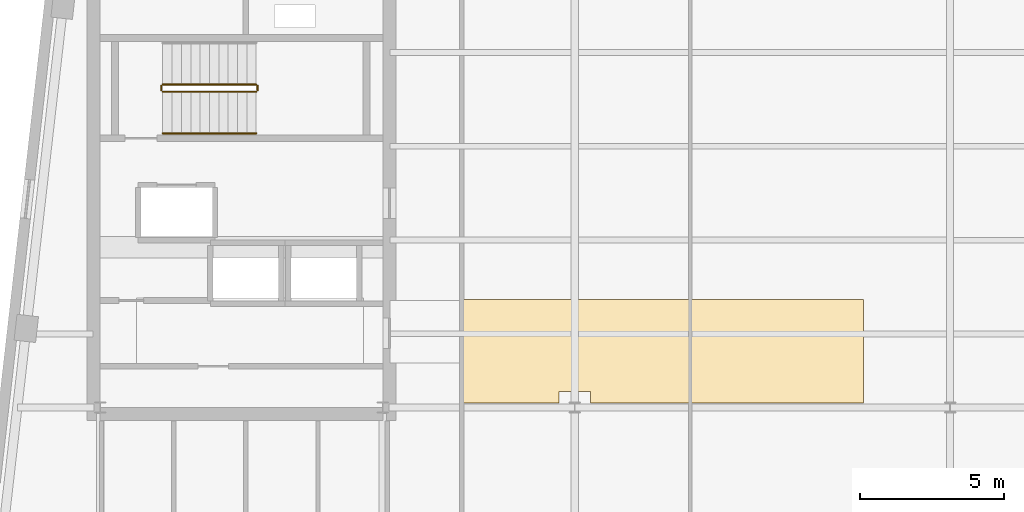
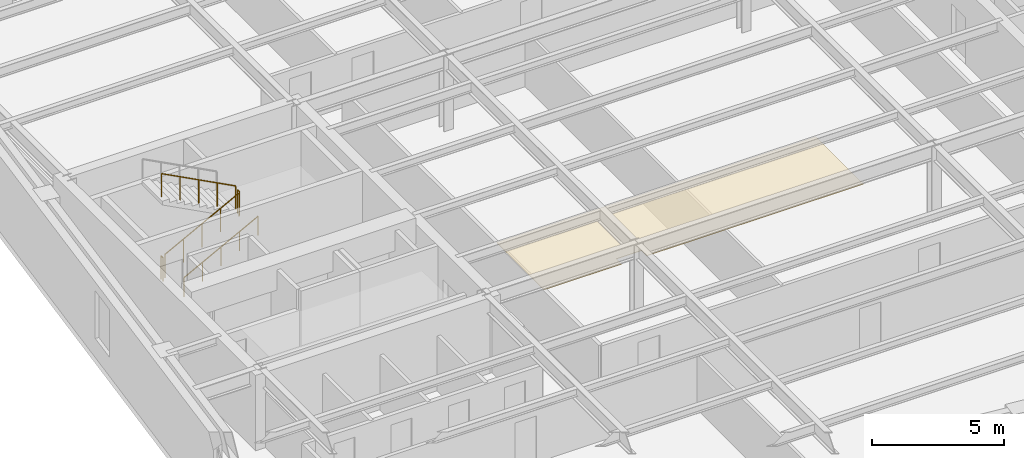
# One storey, part 11 of 13: 5 railings, 1 covering.
"""IFC4 building model written with IfcOpenShell, lengths in metres."""

from ifc_helpers import new_model, si_unit, direction, frame, origin, origin_2d, place, context, subcontext, project, spatial, polyline, circle, outline, extrude, material, layer, layer_set, type_object, element, save


model = new_model("IFC4")

# Units and contexts
model_context = context("Model", 3, precision=1e-05, world=origin(), true_north=direction((0.0, 1.0)))
body_context = subcontext(model_context, "Body", "Model", "MODEL_VIEW")
ifc_project = project(units=[si_unit("LENGTHUNIT", "METRE"), si_unit("AREAUNIT", "SQUARE_METRE"), si_unit("VOLUMEUNIT", "CUBIC_METRE"), si_unit("PLANEANGLEUNIT", "RADIAN"), si_unit("MASSUNIT", "GRAM", prefix="KILO")], contexts=[model_context])

# Site, building, storey
site_placement = place(None, origin())
site = spatial("IfcSite", under=ifc_project, at=site_placement, CompositionType="ELEMENT")
building_placement = place(site_placement, origin())
building = spatial("IfcBuilding", under=site, at=building_placement, Name="Kolvaren Arena Tower", CompositionType="ELEMENT")
storey_placement = place(building_placement, frame((0.0, 0.0, 254.699951171875)))
storey = spatial("IfcBuildingStorey", under=building, at=storey_placement, Name="L62", CompositionType="ELEMENT", Elevation=254.699951171875)

# Covering
ifc_material_1 = material(Name="Mineral fibre acoustic ceiling tile", Category="gypsum")
ifc_layer = layer(ifc_material_1, 0.02490234375)
ifc_layer_set = layer_set([ifc_layer], Name="Mineral fibre acoustic ceiling tile")
covering_type = type_object("IfcCoveringType", Name="CEIL-ACT-1", PredefinedType="CEILING", material=ifc_layer_set)
covering_placement = place(storey_placement, frame((0.0, 0.0, 2.52001953125)))
element("IfcCovering", 1, at=covering_placement, inside=storey, type_object=covering_type, Name="Suspended Ceiling (L62)", PredefinedType="CEILING", context=body_context, shape_type="SweptSolid", body=[
    extrude(outline(polyline([(27.050048828125, 19.60009765625), (27.050048828125, 23.199951171875), (41.0, 23.199951171875), (41.0, 19.60009765625), (31.550048828125, 19.60009765625), (31.550048828125, 20.0), (30.449951171875, 20.0), (30.449951171875, 19.60009765625), (27.050048828125, 19.60009765625)])), origin(), (0.0, 0.0, 1.0), 0.025146484375),
])

# Railings
ifc_material_2 = material(Name="Painted galvanized steel", Category="steel")
railing_type_1 = type_object("IfcRailingType", Name="GUARD-ST-110", PredefinedType="GUARDRAIL", material=ifc_material_2)
railing_1_placement = place(storey_placement, frame((16.719970703125, 30.389892578125, 0.17041015625)))
element("IfcRailing", 2, at=railing_1_placement, inside=storey, type_object=railing_type_1, Name="L62 ST-W1 stair guard 1", PredefinedType="GUARDRAIL", context=body_context, shape_type="SweptSolid", body=[
    extrude(circle(Radius=0.02392578125, at=origin_2d()), frame((0.0, 0.0, 1.076171875), z_axis=(0.884993431791, 0.0, 0.465603506952), x_axis=(0.0, 1.0, 0.0)), (0.0, 0.0, 1.0), 3.6611328125),
    extrude(circle(Radius=0.02099609375, at=origin_2d()), origin(), (0.0, 0.0, 1.0), 1.052001953125),
    extrude(circle(Radius=0.02099609375, at=origin_2d()), frame((0.81005859375, 0.0, 0.42626953125)), (0.0, 0.0, 1.0), 1.052001953125),
    extrude(circle(Radius=0.02099609375, at=origin_2d()), frame((1.6201171875, 0.0, 0.852294921875)), (0.0, 0.0, 1.0), 1.052001953125),
    extrude(circle(Radius=0.02099609375, at=origin_2d()), frame((2.429931640625, 0.0, 1.2783203125)), (0.0, 0.0, 1.0), 1.052001953125),
    extrude(circle(Radius=0.02099609375, at=origin_2d()), frame((3.239990234375, 0.0, 1.70458984375)), (0.0, 0.0, 1.0), 1.052001953125),
])
railing_2_placement = place(storey_placement, frame((20.010009765625, 30.43994140625, 1.875)))
element("IfcRailing", 3, at=railing_2_placement, inside=storey, type_object=railing_type_1, Name="L62 ST-W1 stair guard 2", PredefinedType="GUARDRAIL", context=body_context, shape_type="SweptSolid", body=[
    extrude(circle(Radius=0.02392578125, at=origin_2d()), frame((0.0, 0.0, 1.076171875), z_axis=(0.0, 1.0, 0.0), x_axis=(-1.0, 0.0, 0.0)), (0.0, 0.0, 1.0), 0.150146484375),
    extrude(circle(Radius=0.02099609375, at=origin_2d()), origin(), (0.0, 0.0, 1.0), 1.052001953125),
    extrude(circle(Radius=0.02099609375, at=origin_2d()), frame((0.0, 0.150146484375, 0.0)), (0.0, 0.0, 1.0), 1.052001953125),
])
railing_3_placement = place(storey_placement, frame((19.9599609375, 30.639892578125, 2.04541015625)))
element("IfcRailing", 4, at=railing_3_placement, inside=storey, type_object=railing_type_1, Name="L62 ST-W1 stair guard 3", PredefinedType="GUARDRAIL", context=body_context, shape_type="SweptSolid", body=[
    extrude(circle(Radius=0.02392578125, at=origin_2d()), frame((0.0, 0.0, 1.076171875), z_axis=(-0.884993431791, 0.0, 0.465603506952), x_axis=(0.0, -1.0, 0.0)), (0.0, 0.0, 1.0), 3.6611328125),
    extrude(circle(Radius=0.02099609375, at=origin_2d()), origin(), (0.0, 0.0, 1.0), 1.052001953125),
    extrude(circle(Radius=0.02099609375, at=origin_2d()), frame((-0.81005859375, 0.0, 0.42626953125)), (0.0, 0.0, 1.0), 1.052001953125),
    extrude(circle(Radius=0.02099609375, at=origin_2d()), frame((-1.6201171875, 0.0, 0.852294921875)), (0.0, 0.0, 1.0), 1.052001953125),
    extrude(circle(Radius=0.02099609375, at=origin_2d()), frame((-2.429931640625, 0.0, 1.2783203125)), (0.0, 0.0, 1.0), 1.052001953125),
    extrude(circle(Radius=0.02099609375, at=origin_2d()), frame((-3.239990234375, 0.0, 1.70458984375)), (0.0, 0.0, 1.0), 1.052001953125),
])
railing_4_placement = place(storey_placement, frame((16.669921875, 30.43994140625, 0.0)))
element("IfcRailing", 5, at=railing_4_placement, inside=storey, type_object=railing_type_1, Name="L62 ST-W1 stair guard 4", PredefinedType="GUARDRAIL", context=body_context, shape_type="SweptSolid", body=[
    extrude(circle(Radius=0.02392578125, at=origin_2d()), frame((0.0, 0.0, 1.076171875), z_axis=(0.0, 1.0, 0.0), x_axis=(-1.0, 0.0, 0.0)), (0.0, 0.0, 1.0), 0.150146484375),
    extrude(circle(Radius=0.02099609375, at=origin_2d()), origin(), (0.0, 0.0, 1.0), 1.052001953125),
    extrude(circle(Radius=0.02099609375, at=origin_2d()), frame((0.0, 0.150146484375, 0.0)), (0.0, 0.0, 1.0), 1.052001953125),
])
ifc_material_3 = material(Name="Brushed stainless steel handrail", Category="steel")
railing_type_2 = type_object("IfcRailingType", Name="HRAIL-900", PredefinedType="HANDRAIL", material=ifc_material_3)
railing_5_placement = place(storey_placement, frame((16.719970703125, 28.949951171875, 0.17041015625)))
element("IfcRailing", 6, at=railing_5_placement, inside=storey, type_object=railing_type_2, Name="L62 ST-W1 stair handrail 1", PredefinedType="HANDRAIL", context=body_context, shape_type="SweptSolid", body=[
    extrude(circle(Radius=0.02392578125, at=origin_2d()), frame((0.0, 0.0, 0.8759765625), z_axis=(0.884993431791, 0.0, 0.465603506952), x_axis=(0.0, 1.0, 0.0)), (0.0, 0.0, 1.0), 3.6611328125),
    extrude(circle(Radius=0.02099609375, at=origin_2d()), origin(), (0.0, 0.0, 1.0), 0.851806640625),
    extrude(circle(Radius=0.02099609375, at=origin_2d()), frame((0.81005859375, 0.0, 0.42626953125)), (0.0, 0.0, 1.0), 0.851806640625),
    extrude(circle(Radius=0.02099609375, at=origin_2d()), frame((1.6201171875, 0.0, 0.852294921875)), (0.0, 0.0, 1.0), 0.851806640625),
    extrude(circle(Radius=0.02099609375, at=origin_2d()), frame((2.429931640625, 0.0, 1.2783203125)), (0.0, 0.0, 1.0), 0.851806640625),
    extrude(circle(Radius=0.02099609375, at=origin_2d()), frame((3.239990234375, 0.0, 1.70458984375)), (0.0, 0.0, 1.0), 0.851806640625),
])

save(model, "model.ifc")
